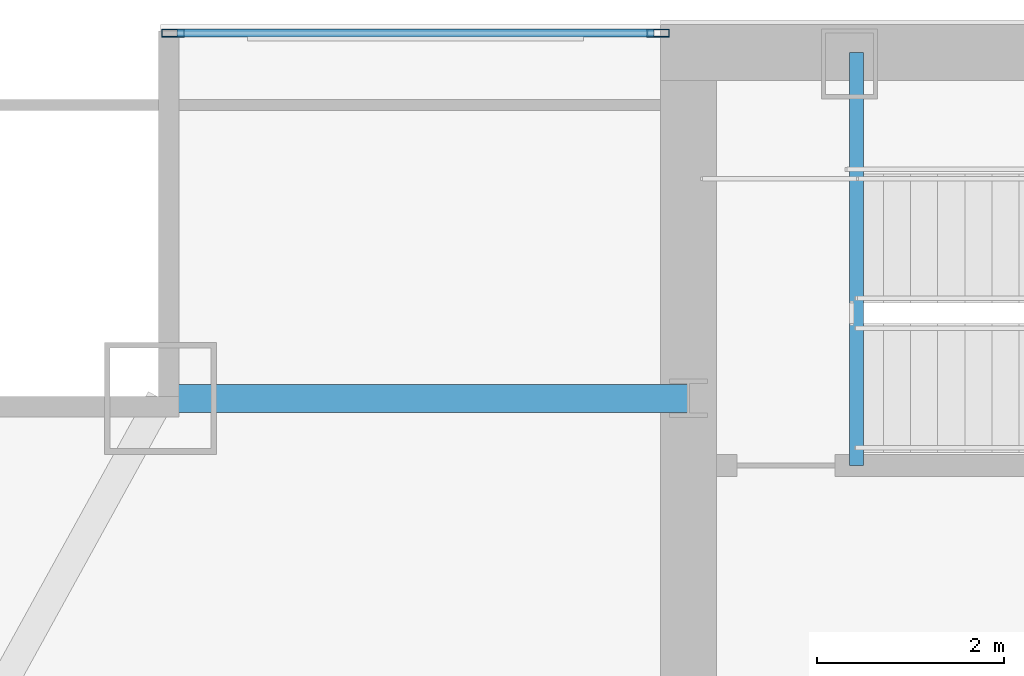
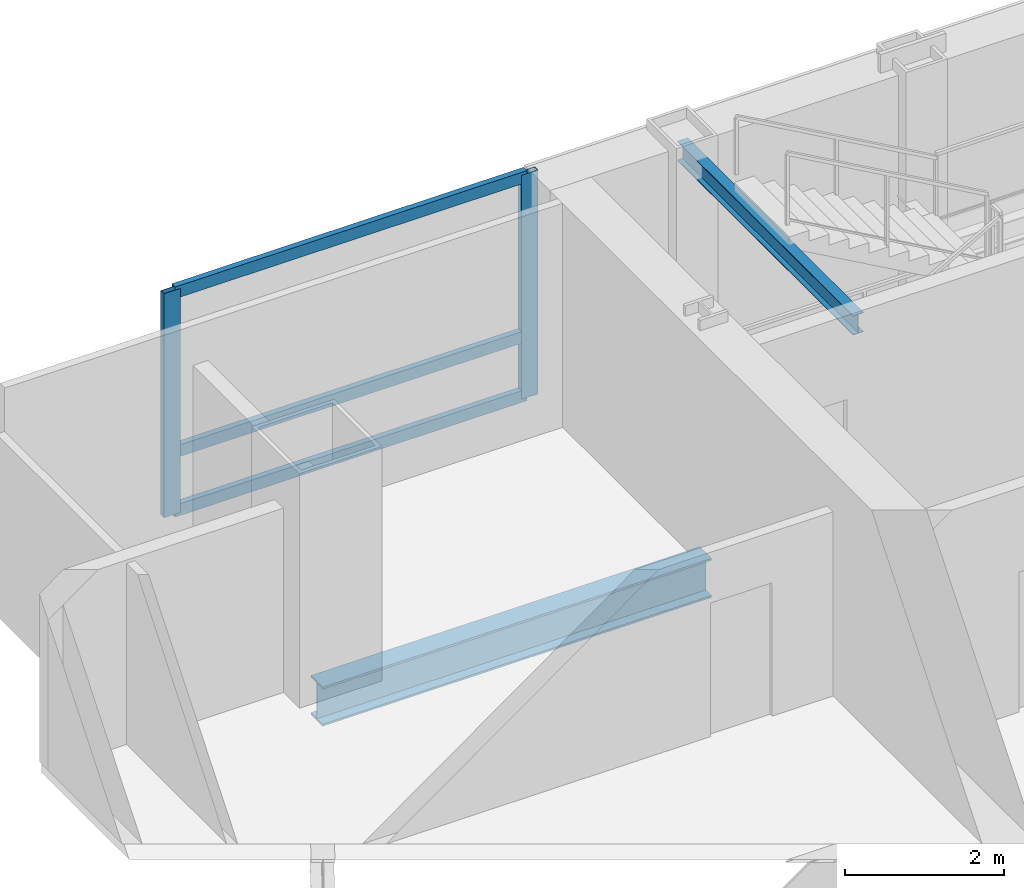
# One storey, part 21 of 30: 5 members, 2 beams, 1 element without a shape of its own.
"""IFC4 building model written with IfcOpenShell, lengths in metres."""

import ifcopenshell
import ifcopenshell.guid

model = None  # the IFC model being written
_history = None  # IfcOwnerHistory: only IFC2X3 demands one
_inside = {}  # id of a spatial element -> (the spatial element, [elements in it])
_under = {}  # id of a project, library or spatial element -> (it, [spatial elements below it])
_declared = {}  # id of a project -> (the project, [libraries it declares])
_typed = {}  # id of a type object -> (the type object, [elements of that type])
_made_of = {}  # id of a material, layer set ... -> (it, [elements and type objects made of it])


def new_model(schema):
    """Start an empty IFC model of exactly this schema.

    Asked for "IFC4X3", IfcOpenShell would pick the latest addendum, in which some entities
    have other attributes; the version numbers below select the first issue.
    IFC2X3 requires an IfcOwnerHistory on every rooted entity: one is made here for all.
    """
    global model, _history
    if schema == "IFC4X3":
        model = ifcopenshell.file(schema_version=(4, 3, 0, 0))
    else:
        model = ifcopenshell.file(schema=schema)
    _inside.clear()
    _under.clear()
    _declared.clear()
    _typed.clear()
    _made_of.clear()
    _history = None
    if model.schema == "IFC2X3":
        org = make("IfcOrganization", Name="unknown")
        user = make(
            "IfcPersonAndOrganization",
            ThePerson=make("IfcPerson", FamilyName="unknown"),
            TheOrganization=org,
        )
        app = make(
            "IfcApplication",
            ApplicationDeveloper=org,
            Version="unknown",
            ApplicationFullName="unknown",
            ApplicationIdentifier="unknown",
        )
        _history = make(
            "IfcOwnerHistory",
            OwningUser=user,
            OwningApplication=app,
            ChangeAction="ADDED",
            CreationDate=0,
        )
    return model


def make(cls, **values):
    """One entity of the class cls with the attributes given. An attribute that is None is left unset."""
    return model.create_entity(
        cls, **{name: value for name, value in values.items() if value is not None}
    )


def rooted(cls, **values):
    """An entity with a GlobalId (a new one), such as an element, a storey or a relation."""
    return make(cls, GlobalId=ifcopenshell.guid.new(), OwnerHistory=_history, **values)


def si_unit(unit_type, name, prefix=None):
    """IfcSIUnit, for example si_unit("LENGTHUNIT", "METRE", prefix="MILLI")."""
    return make("IfcSIUnit", UnitType=unit_type, Prefix=prefix, Name=name)


def assignment(units):
    """IfcUnitAssignment: the units of a project."""
    return None if units is None else make("IfcUnitAssignment", Units=units)


def point(xyz):
    """IfcCartesianPoint."""
    return None if xyz is None else make("IfcCartesianPoint", Coordinates=xyz)


def direction(xyz):
    """IfcDirection."""
    return None if xyz is None else make("IfcDirection", DirectionRatios=xyz)


def frame(location, z_axis=None, x_axis=None):
    """IfcAxis2Placement3D, a coordinate frame: its origin and axes. An axis left out is left unset."""
    return make(
        "IfcAxis2Placement3D",
        Location=point(location),
        Axis=direction(z_axis),
        RefDirection=direction(x_axis),
    )


def frame_2d(location, x_axis=None):
    """IfcAxis2Placement2D, a coordinate frame in the plane: its origin and x axis."""
    return make(
        "IfcAxis2Placement2D", Location=point(location), RefDirection=direction(x_axis)
    )


def origin():
    """The frame at (0, 0, 0) with its axes left unset."""
    return frame((0.0, 0.0, 0.0))


def origin_2d():
    """The frame at (0, 0) in the plane with its x axis left unset."""
    return frame_2d((0.0, 0.0))


def place(relative_to, where):
    """IfcLocalPlacement: puts the frame where relative to a parent placement (None: the world)."""
    return make(
        "IfcLocalPlacement", PlacementRelTo=relative_to, RelativePlacement=where
    )


def context(
    kind, dimensions, precision=None, world=None, true_north=None, identifier=None
):
    """IfcGeometricRepresentationContext, for example the 3D "Model" context."""
    return make(
        "IfcGeometricRepresentationContext",
        ContextIdentifier=identifier,
        ContextType=kind,
        CoordinateSpaceDimension=dimensions,
        Precision=precision,
        WorldCoordinateSystem=world,
        TrueNorth=true_north,
    )


def subcontext(parent, identifier, kind, view, scale=None):
    """IfcGeometricRepresentationSubContext, for example "Body" below "Model"."""
    return make(
        "IfcGeometricRepresentationSubContext",
        ContextIdentifier=identifier,
        ContextType=kind,
        ParentContext=parent,
        TargetScale=scale,
        TargetView=view,
    )


def project(units=None, contexts=None):
    """IfcProject with its units and contexts."""
    return rooted(
        "IfcProject",
        Name="project",
        RepresentationContexts=contexts,
        UnitsInContext=assignment(units),
    )


def spatial(cls, under=None, at=None, **own):
    """A site, building, storey or space (cls), placed at a placement, below another one or the project."""
    s = rooted(cls, ObjectPlacement=at, **own)
    if under is not None:
        _under.setdefault(under.id(), (under, []))[1].append(s)
    return s


def profile(cls, at=None, kind="AREA", **sizes):
    """A parametric profile (cls). Its sizes go by their IFC names, for example OverallWidth=200.0."""
    return make(cls, ProfileType=kind, Position=at, **sizes)


def hollow_rectangle(**sizes):
    """IfcRectangleHollowProfileDef."""
    return profile("IfcRectangleHollowProfileDef", **sizes)


def i_section(**sizes):
    """IfcIShapeProfileDef."""
    return profile("IfcIShapeProfileDef", **sizes)


def extrude(swept, where, along, depth):
    """IfcExtrudedAreaSolid: the profile swept, set in the frame where, extruded along a direction by depth."""
    return make(
        "IfcExtrudedAreaSolid",
        SweptArea=swept,
        Position=where,
        ExtrudedDirection=direction(along),
        Depth=depth,
    )


def shape(context_of_items, identifier, shape_type, items):
    """IfcShapeRepresentation: the items that make up one representation, for example the "Body"."""
    return make(
        "IfcShapeRepresentation",
        ContextOfItems=context_of_items,
        RepresentationIdentifier=identifier,
        RepresentationType=shape_type,
        Items=items,
    )


def material(Name=None, Category=None):
    """IfcMaterial."""
    return make("IfcMaterial", Name=Name, Category=Category)


def material_profile(
    of_material, cross_section, Name=None, Category=None, Priority=None
):
    """IfcMaterialProfile: a cross section and its material."""
    return make(
        "IfcMaterialProfile",
        Name=Name,
        Material=of_material,
        Profile=cross_section,
        Priority=Priority,
        Category=Category,
    )


def profile_set(profiles, Name=None, composite=None):
    """IfcMaterialProfileSet."""
    return make(
        "IfcMaterialProfileSet",
        Name=Name,
        MaterialProfiles=profiles,
        CompositeProfile=composite,
    )


def made_of(thing, what):
    """Note that an element or type object is made of a material, layer set ...; save() writes the relation."""
    if what is not None:
        _made_of.setdefault(what.id(), (what, []))[1].append(thing)
    return thing


def type_object(cls, material=None, **own):
    """A type object (cls), such as IfcWallType, which elements share."""
    return made_of(rooted(cls, **own), material)


def element(
    cls,
    number,
    at=None,
    inside=None,
    cuts=None,
    type_object=None,
    material=None,
    context=None,
    identifier="Body",
    shape_type=None,
    held_by="IfcProductDefinitionShape",
    body=None,
    shapes=None,
    **own,
):
    """One element of the class cls, such as IfcWall. Its Tag is "e" and its number.

    at: its placement. inside: the storey or other place that contains it. cuts: it is an
    opening in that element (IfcRelVoidsElement). A single representation is given by context,
    identifier, shape_type and body (its items); several are given by shapes. held_by: the class
    of the entity that holds the representations. save() writes the other relations.
    """
    e = rooted(cls, Tag="e%d" % number, ObjectPlacement=at, **own)
    if body is not None:
        shapes = [shape(context, identifier, shape_type, body)]
    if shapes is not None:
        e.Representation = make(held_by, Representations=shapes)
    if inside is not None:
        _inside.setdefault(inside.id(), (inside, []))[1].append(e)
    if cuts is not None:
        rooted(
            "IfcRelVoidsElement", RelatingBuildingElement=cuts, RelatedOpeningElement=e
        )
    if type_object is not None:
        _typed.setdefault(type_object.id(), (type_object, []))[1].append(e)
    return made_of(e, material)


def aggregate(whole, parts):
    """IfcRelAggregates: a whole, such as a stair, and the parts it consists of."""
    return rooted("IfcRelAggregates", RelatingObject=whole, RelatedObjects=parts)


def save(model, path):
    """Write the relations noted so far, then the file.

    IfcRelAggregates (storeys below a building ...), IfcRelContainedInSpatialStructure (elements
    in a storey), IfcRelDefinesByType, IfcRelAssociatesMaterial and IfcRelDeclares: one each for
    every whole, place, type object, material and project.
    """
    for whole, parts in _under.values():
        aggregate(whole, parts)
    for where, things in _inside.values():
        rooted(
            "IfcRelContainedInSpatialStructure",
            RelatedElements=things,
            RelatingStructure=where,
        )
    for kind, things in _typed.values():
        rooted("IfcRelDefinesByType", RelatedObjects=things, RelatingType=kind)
    for what, things in _made_of.values():
        rooted("IfcRelAssociatesMaterial", RelatedObjects=things, RelatingMaterial=what)
    for by, libraries in _declared.values():
        rooted("IfcRelDeclares", RelatingContext=by, RelatedDefinitions=libraries)
    model.write(path)


model = new_model("IFC4")

# Units and contexts
model_context = context("Model", 3, precision=1e-05, world=origin(), true_north=direction((0.0, 1.0)))
body_context = subcontext(model_context, "Body", "Model", "MODEL_VIEW")
ifc_project = project(units=[si_unit("LENGTHUNIT", "METRE"), si_unit("AREAUNIT", "SQUARE_METRE"), si_unit("VOLUMEUNIT", "CUBIC_METRE"), si_unit("PLANEANGLEUNIT", "RADIAN"), si_unit("MASSUNIT", "GRAM", prefix="KILO")], contexts=[model_context])

# Site, building, storey
site_placement = place(None, origin())
site = spatial("IfcSite", under=ifc_project, at=site_placement, CompositionType="ELEMENT")
building_placement = place(site_placement, origin())
building = spatial("IfcBuilding", under=site, at=building_placement, Name="Khoronbel Lancet Exchange", CompositionType="ELEMENT")
storey_placement = place(building_placement, frame((0.0, 0.0, 217.39990234375)))
storey = spatial("IfcBuildingStorey", under=building, at=storey_placement, Name="L55", CompositionType="ELEMENT", Elevation=217.39990234375)

# Beams
ifc_material_1 = material(Name="Steel S355", Category="steel")
ifc_material_profile_1 = material_profile(ifc_material_1, i_section(OverallWidth=0.14990234375, OverallDepth=0.300048828125, WebThickness=0.007080078125, FlangeThickness=0.0107421875, at=origin_2d()), Name="IPE 300")
ifc_profile_set_1 = profile_set([ifc_material_profile_1], Name="Steel S355")
beam_type_1 = type_object("IfcBeamType", Name="BM-BJ8", PredefinedType="JOIST", material=ifc_profile_set_1)
beam_1_placement = place(storey_placement, frame((18.300048828125, 48.97998046875, 3.16015625), z_axis=(0.0, 1.0, 0.0), x_axis=(-1.0, 0.0, 0.0)))
element("IfcBeam", 1, at=beam_1_placement, inside=storey, type_object=beam_type_1, Name="Level L55 stair ST1 upper-flight arrival trimmer beam", PredefinedType="JOIST", context=body_context, shape_type="SweptSolid", body=[
    extrude(i_section(OverallWidth=0.14990234375, OverallDepth=0.300048828125, WebThickness=0.007080078125, FlangeThickness=0.0107421875, at=origin_2d()), origin(), (0.0, 0.0, 1.0), 4.419921875),
])
ifc_material_profile_2 = material_profile(ifc_material_1, i_section(OverallWidth=0.300048828125, OverallDepth=0.60009765625, WebThickness=0.015380859375, FlangeThickness=0.030029296875, at=origin_2d()), Name="HEB 600")
ifc_profile_set_2 = profile_set([ifc_material_profile_2], Name="Steel S355")
beam_type_2 = type_object("IfcBeamType", Name="BM-BSP2", PredefinedType="SPANDREL", material=ifc_profile_set_2)
beam_2_placement = place(storey_placement, frame((10.85009765625, 49.699951171875, -0.4599609375), z_axis=(1.0, 0.0, 0.0), x_axis=(0.0, 1.0, 0.0)))
element("IfcBeam", 2, at=beam_2_placement, inside=storey, type_object=beam_type_2, Name="Level L55 north flank tie spandrel SP22", PredefinedType="SPANDREL", context=body_context, shape_type="SweptSolid", body=[
    extrude(i_section(OverallWidth=0.300048828125, OverallDepth=0.60009765625, WebThickness=0.015380859375, FlangeThickness=0.030029296875, at=origin_2d()), origin(), (0.0, 0.0, 1.0), 5.64990234375),
])

# Curtain wall, members
ifc_material_2 = material(Name="Low-E Solar Control Insulating Glass", Category="glass")
curtain_wall_type = type_object("IfcCurtainWallType", Name="CW-3", PredefinedType="NOTDEFINED", material=ifc_material_2)
curtain_wall_placement = place(storey_placement, origin())
curtain_wall = element("IfcCurtainWall", 3, at=curtain_wall_placement, inside=storey, type_object=curtain_wall_type, Name="Unitised curtain wall CW-L55-NWFLK", PredefinedType="NOTDEFINED")
ifc_material_3 = material(Name="Bronze-Anodised Aluminium 6063-T6", Category="aluminium")
ifc_material_profile_3 = material_profile(ifc_material_3, hollow_rectangle(XDim=0.0849609375, YDim=0.239990234375, WallThickness=0.006103515625, at=origin_2d()), Name="ALU MULLION 85x240")
ifc_profile_set_3 = profile_set([ifc_material_profile_3], Name="Bronze-Anodised Aluminium 6063-T6")
member_type_1 = type_object("IfcMemberType", Name="MEM-CWM1", PredefinedType="MULLION", material=ifc_profile_set_3)
member_1_placement = place(storey_placement, frame((16.177490234375, 53.610107421875, 0.0), z_axis=(0.0, 0.0, 1.0), x_axis=(0.0, -1.0, 0.0)))
member_1 = element("IfcMember", 4, at=member_1_placement, type_object=member_type_1, Name="CW3 mullion 1", PredefinedType="MULLION", context=body_context, shape_type="SweptSolid", body=[
    extrude(hollow_rectangle(XDim=0.0849609375, YDim=0.239990234375, WallThickness=0.006103515625, at=origin_2d()), origin(), (0.0, 0.0, 1.0), 3.440185546875),
])
member_2_placement = place(storey_placement, frame((10.982421875, 53.610107421875, 0.0), z_axis=(0.0, 0.0, 1.0), x_axis=(0.0, -1.0, 0.0)))
member_2 = element("IfcMember", 5, at=member_2_placement, type_object=member_type_1, Name="CW3 mullion 2", PredefinedType="MULLION", context=body_context, shape_type="SweptSolid", body=[
    extrude(hollow_rectangle(XDim=0.0849609375, YDim=0.239990234375, WallThickness=0.006103515625, at=origin_2d()), origin(), (0.0, 0.0, 1.0), 3.440185546875),
])
ifc_material_profile_4 = material_profile(ifc_material_3, hollow_rectangle(XDim=0.0849609375, YDim=0.179931640625, WallThickness=0.0048828125, at=origin_2d()), Name="ALU TRANSOM 85x180")
ifc_profile_set_4 = profile_set([ifc_material_profile_4], Name="Bronze-Anodised Aluminium 6063-T6")
member_type_2 = type_object("IfcMemberType", Name="MEM-CWT1", PredefinedType="USERDEFINED", material=ifc_profile_set_4)
member_3_placement = place(storey_placement, frame((16.135009765625, 53.610107421875, 0.04248046875), z_axis=(-1.0, 0.0, 0.0), x_axis=(0.0, -1.0, 0.0)))
member_3 = element("IfcMember", 6, at=member_3_placement, type_object=member_type_2, Name="CW3 transom 1.1", ObjectType="TRANSOM", PredefinedType="USERDEFINED", context=body_context, shape_type="SweptSolid", body=[
    extrude(hollow_rectangle(XDim=0.0849609375, YDim=0.179931640625, WallThickness=0.0048828125, at=origin_2d()), origin(), (0.0, 0.0, 1.0), 5.110107421875),
])
member_4_placement = place(storey_placement, frame((16.135009765625, 53.610107421875, 0.9501953125), z_axis=(-1.0, 0.0, 0.0), x_axis=(0.0, -1.0, 0.0)))
member_4 = element("IfcMember", 7, at=member_4_placement, type_object=member_type_2, Name="CW3 transom 1.2", ObjectType="TRANSOM", PredefinedType="USERDEFINED", context=body_context, shape_type="SweptSolid", body=[
    extrude(hollow_rectangle(XDim=0.0849609375, YDim=0.179931640625, WallThickness=0.0048828125, at=origin_2d()), origin(), (0.0, 0.0, 1.0), 5.110107421875),
])
member_5_placement = place(storey_placement, frame((16.135009765625, 53.610107421875, 3.397705078125), z_axis=(-1.0, 0.0, 0.0), x_axis=(0.0, -1.0, 0.0)))
member_5 = element("IfcMember", 8, at=member_5_placement, type_object=member_type_2, Name="CW3 transom 1.3", ObjectType="TRANSOM", PredefinedType="USERDEFINED", context=body_context, shape_type="SweptSolid", body=[
    extrude(hollow_rectangle(XDim=0.0849609375, YDim=0.179931640625, WallThickness=0.0048828125, at=origin_2d()), origin(), (0.0, 0.0, 1.0), 5.110107421875),
])
aggregate(curtain_wall, [member_1, member_2, member_3, member_4, member_5])

save(model, "model.ifc")
